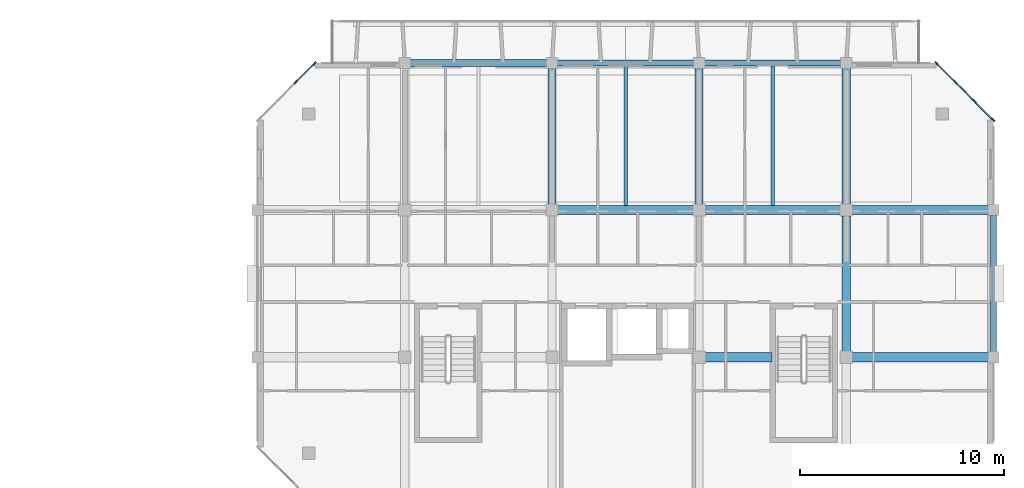
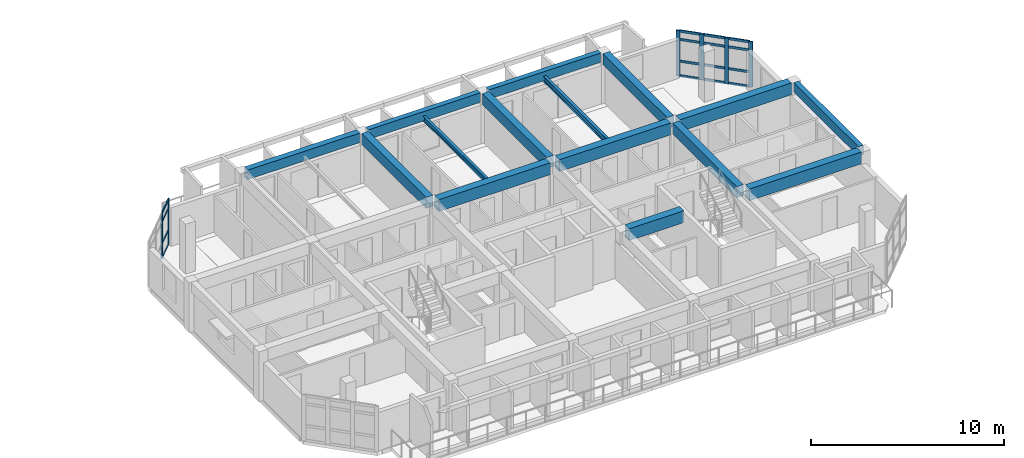
# One storey, part 17 of 64: 22 members, 15 beams, 2 elements without a shape of their own.
"""IFC4 building model written with IfcOpenShell, lengths in metres."""

import ifcopenshell
import ifcopenshell.guid

model = None  # the IFC model being written
_history = None  # IfcOwnerHistory: only IFC2X3 demands one
_inside = {}  # id of a spatial element -> (the spatial element, [elements in it])
_under = {}  # id of a project, library or spatial element -> (it, [spatial elements below it])
_declared = {}  # id of a project -> (the project, [libraries it declares])
_typed = {}  # id of a type object -> (the type object, [elements of that type])
_made_of = {}  # id of a material, layer set ... -> (it, [elements and type objects made of it])


def new_model(schema):
    """Start an empty IFC model of exactly this schema.

    Asked for "IFC4X3", IfcOpenShell would pick the latest addendum, in which some entities
    have other attributes; the version numbers below select the first issue.
    IFC2X3 requires an IfcOwnerHistory on every rooted entity: one is made here for all.
    """
    global model, _history
    if schema == "IFC4X3":
        model = ifcopenshell.file(schema_version=(4, 3, 0, 0))
    else:
        model = ifcopenshell.file(schema=schema)
    _inside.clear()
    _under.clear()
    _declared.clear()
    _typed.clear()
    _made_of.clear()
    _history = None
    if model.schema == "IFC2X3":
        org = make("IfcOrganization", Name="unknown")
        user = make(
            "IfcPersonAndOrganization",
            ThePerson=make("IfcPerson", FamilyName="unknown"),
            TheOrganization=org,
        )
        app = make(
            "IfcApplication",
            ApplicationDeveloper=org,
            Version="unknown",
            ApplicationFullName="unknown",
            ApplicationIdentifier="unknown",
        )
        _history = make(
            "IfcOwnerHistory",
            OwningUser=user,
            OwningApplication=app,
            ChangeAction="ADDED",
            CreationDate=0,
        )
    return model


def make(cls, **values):
    """One entity of the class cls with the attributes given. An attribute that is None is left unset."""
    return model.create_entity(
        cls, **{name: value for name, value in values.items() if value is not None}
    )


def rooted(cls, **values):
    """An entity with a GlobalId (a new one), such as an element, a storey or a relation."""
    return make(cls, GlobalId=ifcopenshell.guid.new(), OwnerHistory=_history, **values)


def si_unit(unit_type, name, prefix=None):
    """IfcSIUnit, for example si_unit("LENGTHUNIT", "METRE", prefix="MILLI")."""
    return make("IfcSIUnit", UnitType=unit_type, Prefix=prefix, Name=name)


def assignment(units):
    """IfcUnitAssignment: the units of a project."""
    return None if units is None else make("IfcUnitAssignment", Units=units)


def point(xyz):
    """IfcCartesianPoint."""
    return None if xyz is None else make("IfcCartesianPoint", Coordinates=xyz)


def direction(xyz):
    """IfcDirection."""
    return None if xyz is None else make("IfcDirection", DirectionRatios=xyz)


def frame(location, z_axis=None, x_axis=None):
    """IfcAxis2Placement3D, a coordinate frame: its origin and axes. An axis left out is left unset."""
    return make(
        "IfcAxis2Placement3D",
        Location=point(location),
        Axis=direction(z_axis),
        RefDirection=direction(x_axis),
    )


def frame_2d(location, x_axis=None):
    """IfcAxis2Placement2D, a coordinate frame in the plane: its origin and x axis."""
    return make(
        "IfcAxis2Placement2D", Location=point(location), RefDirection=direction(x_axis)
    )


def origin():
    """The frame at (0, 0, 0) with its axes left unset."""
    return frame((0.0, 0.0, 0.0))


def origin_2d():
    """The frame at (0, 0) in the plane with its x axis left unset."""
    return frame_2d((0.0, 0.0))


def place(relative_to, where):
    """IfcLocalPlacement: puts the frame where relative to a parent placement (None: the world)."""
    return make(
        "IfcLocalPlacement", PlacementRelTo=relative_to, RelativePlacement=where
    )


def context(
    kind, dimensions, precision=None, world=None, true_north=None, identifier=None
):
    """IfcGeometricRepresentationContext, for example the 3D "Model" context."""
    return make(
        "IfcGeometricRepresentationContext",
        ContextIdentifier=identifier,
        ContextType=kind,
        CoordinateSpaceDimension=dimensions,
        Precision=precision,
        WorldCoordinateSystem=world,
        TrueNorth=true_north,
    )


def subcontext(parent, identifier, kind, view, scale=None):
    """IfcGeometricRepresentationSubContext, for example "Body" below "Model"."""
    return make(
        "IfcGeometricRepresentationSubContext",
        ContextIdentifier=identifier,
        ContextType=kind,
        ParentContext=parent,
        TargetScale=scale,
        TargetView=view,
    )


def project(units=None, contexts=None):
    """IfcProject with its units and contexts."""
    return rooted(
        "IfcProject",
        Name="project",
        RepresentationContexts=contexts,
        UnitsInContext=assignment(units),
    )


def spatial(cls, under=None, at=None, **own):
    """A site, building, storey or space (cls), placed at a placement, below another one or the project."""
    s = rooted(cls, ObjectPlacement=at, **own)
    if under is not None:
        _under.setdefault(under.id(), (under, []))[1].append(s)
    return s


def profile(cls, at=None, kind="AREA", **sizes):
    """A parametric profile (cls). Its sizes go by their IFC names, for example OverallWidth=200.0."""
    return make(cls, ProfileType=kind, Position=at, **sizes)


def rectangle(**sizes):
    """IfcRectangleProfileDef."""
    return profile("IfcRectangleProfileDef", **sizes)


def i_section(**sizes):
    """IfcIShapeProfileDef."""
    return profile("IfcIShapeProfileDef", **sizes)


def extrude(swept, where, along, depth):
    """IfcExtrudedAreaSolid: the profile swept, set in the frame where, extruded along a direction by depth."""
    return make(
        "IfcExtrudedAreaSolid",
        SweptArea=swept,
        Position=where,
        ExtrudedDirection=direction(along),
        Depth=depth,
    )


def shape(context_of_items, identifier, shape_type, items):
    """IfcShapeRepresentation: the items that make up one representation, for example the "Body"."""
    return make(
        "IfcShapeRepresentation",
        ContextOfItems=context_of_items,
        RepresentationIdentifier=identifier,
        RepresentationType=shape_type,
        Items=items,
    )


def material(Name=None, Category=None):
    """IfcMaterial."""
    return make("IfcMaterial", Name=Name, Category=Category)


def layer(
    of_material, thickness, ventilated=None, Name=None, Category=None, Priority=None
):
    """IfcMaterialLayer: one layer of a wall or slab, of a material (None: an air gap)."""
    return make(
        "IfcMaterialLayer",
        Material=of_material,
        LayerThickness=thickness,
        IsVentilated=ventilated,
        Name=Name,
        Category=Category,
        Priority=Priority,
    )


def layer_set(layers, Name=None):
    """IfcMaterialLayerSet."""
    return make("IfcMaterialLayerSet", MaterialLayers=layers, LayerSetName=Name)


def material_profile(
    of_material, cross_section, Name=None, Category=None, Priority=None
):
    """IfcMaterialProfile: a cross section and its material."""
    return make(
        "IfcMaterialProfile",
        Name=Name,
        Material=of_material,
        Profile=cross_section,
        Priority=Priority,
        Category=Category,
    )


def profile_set(profiles, Name=None, composite=None):
    """IfcMaterialProfileSet."""
    return make(
        "IfcMaterialProfileSet",
        Name=Name,
        MaterialProfiles=profiles,
        CompositeProfile=composite,
    )


def made_of(thing, what):
    """Note that an element or type object is made of a material, layer set ...; save() writes the relation."""
    if what is not None:
        _made_of.setdefault(what.id(), (what, []))[1].append(thing)
    return thing


def type_object(cls, material=None, **own):
    """A type object (cls), such as IfcWallType, which elements share."""
    return made_of(rooted(cls, **own), material)


def element(
    cls,
    number,
    at=None,
    inside=None,
    cuts=None,
    type_object=None,
    material=None,
    context=None,
    identifier="Body",
    shape_type=None,
    held_by="IfcProductDefinitionShape",
    body=None,
    shapes=None,
    **own,
):
    """One element of the class cls, such as IfcWall. Its Tag is "e" and its number.

    at: its placement. inside: the storey or other place that contains it. cuts: it is an
    opening in that element (IfcRelVoidsElement). A single representation is given by context,
    identifier, shape_type and body (its items); several are given by shapes. held_by: the class
    of the entity that holds the representations. save() writes the other relations.
    """
    e = rooted(cls, Tag="e%d" % number, ObjectPlacement=at, **own)
    if body is not None:
        shapes = [shape(context, identifier, shape_type, body)]
    if shapes is not None:
        e.Representation = make(held_by, Representations=shapes)
    if inside is not None:
        _inside.setdefault(inside.id(), (inside, []))[1].append(e)
    if cuts is not None:
        rooted(
            "IfcRelVoidsElement", RelatingBuildingElement=cuts, RelatedOpeningElement=e
        )
    if type_object is not None:
        _typed.setdefault(type_object.id(), (type_object, []))[1].append(e)
    return made_of(e, material)


def aggregate(whole, parts):
    """IfcRelAggregates: a whole, such as a stair, and the parts it consists of."""
    return rooted("IfcRelAggregates", RelatingObject=whole, RelatedObjects=parts)


def save(model, path):
    """Write the relations noted so far, then the file.

    IfcRelAggregates (storeys below a building ...), IfcRelContainedInSpatialStructure (elements
    in a storey), IfcRelDefinesByType, IfcRelAssociatesMaterial and IfcRelDeclares: one each for
    every whole, place, type object, material and project.
    """
    for whole, parts in _under.values():
        aggregate(whole, parts)
    for where, things in _inside.values():
        rooted(
            "IfcRelContainedInSpatialStructure",
            RelatedElements=things,
            RelatingStructure=where,
        )
    for kind, things in _typed.values():
        rooted("IfcRelDefinesByType", RelatedObjects=things, RelatingType=kind)
    for what, things in _made_of.values():
        rooted("IfcRelAssociatesMaterial", RelatedObjects=things, RelatingMaterial=what)
    for by, libraries in _declared.values():
        rooted("IfcRelDeclares", RelatingContext=by, RelatedDefinitions=libraries)
    model.write(path)


model = new_model("IFC4")

# Units and contexts
model_context = context("Model", 3, precision=1e-05, world=origin(), true_north=direction((0.0, 1.0)))
body_context = subcontext(model_context, "Body", "Model", "MODEL_VIEW")
ifc_project = project(units=[si_unit("LENGTHUNIT", "METRE"), si_unit("AREAUNIT", "SQUARE_METRE"), si_unit("VOLUMEUNIT", "CUBIC_METRE"), si_unit("PLANEANGLEUNIT", "RADIAN"), si_unit("MASSUNIT", "GRAM", prefix="KILO")], contexts=[model_context])

# Site, building, storey
site_placement = place(None, origin())
site = spatial("IfcSite", under=ifc_project, at=site_placement, CompositionType="ELEMENT")
building_placement = place(site_placement, origin())
building = spatial("IfcBuilding", under=site, at=building_placement, Name="Ochrevale Crest", CompositionType="ELEMENT")
storey_placement = place(building_placement, frame((0.0, 0.0, 8.699951171875)))
storey = spatial("IfcBuildingStorey", under=building, at=storey_placement, Name="L02", CompositionType="ELEMENT", Elevation=8.699951171875)

# Beams
ifc_material_1 = material(Name="Precast concrete C50/60", Category="concrete")
ifc_material_profile_1 = material_profile(ifc_material_1, rectangle(XDim=0.39990234375, YDim=0.699951171875, at=origin_2d()), Name="PC 400x700")
ifc_profile_set_1 = profile_set([ifc_material_profile_1], Name="Precast concrete C50/60")
beam_type_1 = type_object("IfcBeamType", Name="BM-PC400x700", PredefinedType="BEAM", material=ifc_profile_set_1)
for number, where, z_axis, x_axis, name in (
    (1, (144.0, 86.679931640625, 2.800048828125), (0.0, 1.0, 0.0), (-1.0, 0.0, 0.0), "Block D L02 N-S beam X=144.0"),
    (2, (151.199951171875, 86.679931640625, 2.800048828125), (0.0, 1.0, 0.0), (-1.0, 0.0, 0.0), "Block D L02 N-S beam X=151.2"),
):
    element("IfcBeam", number, at=place(storey_placement, frame(where, z_axis=z_axis, x_axis=x_axis)), inside=storey, type_object=beam_type_1, Name=name, PredefinedType="BEAM", context=body_context, shape_type="SweptSolid", body=[
        extrude(rectangle(XDim=0.39990234375, YDim=0.699951171875, at=origin_2d()), origin(), (0.0, 0.0, 1.0), 6.6650390625),
    ])
beam_1_placement = place(storey_placement, frame((158.39990234375, 79.47998046875, 2.800048828125), z_axis=(0.0, 1.0, 0.0), x_axis=(-1.0, 0.0, 0.0)))
element("IfcBeam", 3, at=beam_1_placement, inside=storey, type_object=beam_type_1, Name="Block D L02 N-S beam X=158.4", PredefinedType="BEAM", context=body_context, shape_type="SweptSolid", body=[
    extrude(rectangle(XDim=0.39990234375, YDim=0.699951171875, at=origin_2d()), origin(), (0.0, 0.0, 1.0), 6.64013671875),
])
beam_2_placement = place(storey_placement, frame((158.39990234375, 86.679931640625, 2.800048828125), z_axis=(0.0, 1.0, 0.0), x_axis=(-1.0, 0.0, 0.0)))
element("IfcBeam", 4, at=beam_2_placement, inside=storey, type_object=beam_type_1, Name="Block D L02 N-S beam X=158.4", PredefinedType="BEAM", context=body_context, shape_type="SweptSolid", body=[
    extrude(rectangle(XDim=0.39990234375, YDim=0.699951171875, at=origin_2d()), origin(), (0.0, 0.0, 1.0), 6.6650390625),
])
ifc_material_2 = material(Name="Concrete C50/60", Category="concrete")
ifc_material_profile_2 = material_profile(ifc_material_2, rectangle(XDim=0.449951171875, YDim=0.75, at=origin_2d()), Name="RC 450x750")
ifc_profile_set_2 = profile_set([ifc_material_profile_2], Name="Concrete C50/60")
beam_type_2 = type_object("IfcBeamType", Name="BM-PG450x750", PredefinedType="USERDEFINED", material=ifc_profile_set_2)
beam_3_placement = place(storey_placement, frame((151.47509765625, 79.199951171875, 2.775146484375), z_axis=(1.0, 0.0, 0.0), x_axis=(0.0, 1.0, 0.0)))
element("IfcBeam", 5, at=beam_3_placement, inside=storey, type_object=beam_type_2, Name="Block D L02 E-W beam Y=79.2", ObjectType="GIRDER", PredefinedType="USERDEFINED", context=body_context, shape_type="SweptSolid", body=[
    extrude(rectangle(XDim=0.449951171875, YDim=0.75, at=origin_2d()), origin(), (0.0, 0.0, 1.0), 3.284912109375),
])
beam_4_placement = place(storey_placement, frame((158.675048828125, 79.199951171875, 2.775146484375), z_axis=(1.0, 0.0, 0.0), x_axis=(0.0, 1.0, 0.0)))
element("IfcBeam", 6, at=beam_4_placement, inside=storey, type_object=beam_type_2, Name="Block D L02 E-W beam Y=79.2", ObjectType="GIRDER", PredefinedType="USERDEFINED", context=body_context, shape_type="SweptSolid", body=[
    extrude(rectangle(XDim=0.449951171875, YDim=0.75, at=origin_2d()), origin(), (0.0, 0.0, 1.0), 6.675048828125),
])
beam_5_placement = place(storey_placement, frame((144.27490234375, 86.39990234375, 2.775146484375), z_axis=(1.0, 0.0, 0.0), x_axis=(0.0, 1.0, 0.0)))
element("IfcBeam", 7, at=beam_5_placement, inside=storey, type_object=beam_type_2, Name="Block D L02 E-W beam Y=86.4", ObjectType="GIRDER", PredefinedType="USERDEFINED", context=body_context, shape_type="SweptSolid", body=[
    extrude(rectangle(XDim=0.449951171875, YDim=0.75, at=origin_2d()), origin(), (0.0, 0.0, 1.0), 6.650146484375),
])
beam_6_placement = place(storey_placement, frame((151.47509765625, 86.39990234375, 2.775146484375), z_axis=(1.0, 0.0, 0.0), x_axis=(0.0, 1.0, 0.0)))
element("IfcBeam", 8, at=beam_6_placement, inside=storey, type_object=beam_type_2, Name="Block D L02 E-W beam Y=86.4", ObjectType="GIRDER", PredefinedType="USERDEFINED", context=body_context, shape_type="SweptSolid", body=[
    extrude(rectangle(XDim=0.449951171875, YDim=0.75, at=origin_2d()), origin(), (0.0, 0.0, 1.0), 6.64990234375),
])
beam_7_placement = place(storey_placement, frame((158.675048828125, 86.39990234375, 2.775146484375), z_axis=(1.0, 0.0, 0.0), x_axis=(0.0, 1.0, 0.0)))
element("IfcBeam", 9, at=beam_7_placement, inside=storey, type_object=beam_type_2, Name="Block D L02 E-W beam Y=86.4", ObjectType="GIRDER", PredefinedType="USERDEFINED", context=body_context, shape_type="SweptSolid", body=[
    extrude(rectangle(XDim=0.449951171875, YDim=0.75, at=origin_2d()), origin(), (0.0, 0.0, 1.0), 6.675048828125),
])
ifc_material_3 = material(Name="Precast concrete C40/50", Category="concrete")
ifc_material_profile_3 = material_profile(ifc_material_3, rectangle(XDim=0.300048828125, YDim=0.580078125, at=origin_2d()), Name="PC 300x580")
ifc_profile_set_3 = profile_set([ifc_material_profile_3], Name="Precast concrete C40/50")
beam_type_3 = type_object("IfcBeamType", Name="BM-SP300x580", PredefinedType="SPANDREL", material=ifc_profile_set_3)
beam_8_placement = place(storey_placement, frame((151.449951171875, 93.60009765625, 2.860107421875), z_axis=(1.0, 0.0, 0.0), x_axis=(0.0, 1.0, 0.0)))
element("IfcBeam", 10, at=beam_8_placement, inside=storey, type_object=beam_type_3, Name="Block D L02 E-W beam Y=93.6", PredefinedType="SPANDREL", context=body_context, shape_type="SweptSolid", body=[
    extrude(rectangle(XDim=0.300048828125, YDim=0.580078125, at=origin_2d()), origin(), (0.0, 0.0, 1.0), 6.699951171875),
])
ifc_material_profile_4 = material_profile(ifc_material_3, rectangle(XDim=0.300048828125, YDim=0.60009765625, at=origin_2d()), Name="PC 300x600")
ifc_profile_set_4 = profile_set([ifc_material_profile_4], Name="Precast concrete C40/50")
beam_type_4 = type_object("IfcBeamType", Name="BM-SP300x600", PredefinedType="SPANDREL", material=ifc_profile_set_4)
beam_9_placement = place(storey_placement, frame((144.25, 93.60009765625, 2.85009765625), z_axis=(1.0, 0.0, 0.0), x_axis=(0.0, 1.0, 0.0)))
element("IfcBeam", 11, at=beam_9_placement, inside=storey, type_object=beam_type_4, Name="Block D L02 E-W beam Y=93.6", PredefinedType="SPANDREL", context=body_context, shape_type="SweptSolid", body=[
    extrude(rectangle(XDim=0.300048828125, YDim=0.60009765625, at=origin_2d()), origin(), (0.0, 0.0, 1.0), 6.699951171875),
])
beam_10_placement = place(storey_placement, frame((165.60009765625, 79.455078125, 2.85009765625), z_axis=(0.0, 1.0, 0.0), x_axis=(-1.0, 0.0, 0.0)))
element("IfcBeam", 12, at=beam_10_placement, inside=storey, type_object=beam_type_4, Name="Block D L02 N-S beam X=165.6", PredefinedType="SPANDREL", context=body_context, shape_type="SweptSolid", body=[
    extrude(rectangle(XDim=0.300048828125, YDim=0.60009765625, at=origin_2d()), origin(), (0.0, 0.0, 1.0), 6.68994140625),
])
ifc_material_profile_5 = material_profile(ifc_material_3, rectangle(XDim=0.35009765625, YDim=0.60009765625, at=origin_2d()), Name="PC 350x600")
ifc_profile_set_5 = profile_set([ifc_material_profile_5], Name="Precast concrete C40/50")
beam_type_5 = type_object("IfcBeamType", Name="BM-SP350x600", PredefinedType="SPANDREL", material=ifc_profile_set_5)
beam_11_placement = place(storey_placement, frame((137.050048828125, 93.60009765625, 2.85009765625), z_axis=(1.0, 0.0, 0.0), x_axis=(0.0, 1.0, 0.0)))
element("IfcBeam", 13, at=beam_11_placement, inside=storey, type_object=beam_type_5, Name="Block D L02 E-W beam Y=93.6", PredefinedType="SPANDREL", context=body_context, shape_type="SweptSolid", body=[
    extrude(rectangle(XDim=0.35009765625, YDim=0.60009765625, at=origin_2d()), origin(), (0.0, 0.0, 1.0), 6.699951171875),
])
ifc_material_4 = material(Name="Steel S355", Category="steel")
ifc_material_profile_6 = material_profile(ifc_material_4, i_section(OverallWidth=0.1650390625, OverallDepth=0.3037109375, WebThickness=0.006103515625, FlangeThickness=0.01025390625, FilletRadius=0.011474609375, at=origin_2d()), Name="310UB40.4")
ifc_profile_set_6 = profile_set([ifc_material_profile_6], Name="Steel S355")
beam_type_6 = type_object("IfcBeamType", Name="BM-UB310A", PredefinedType="BEAM", material=ifc_profile_set_6)
beam_12_placement = place(storey_placement, frame((147.60009765625, 86.613037109375, 2.72314453125), z_axis=(0.0, 1.0, 0.0), x_axis=(-1.0, 0.0, 0.0)))
element("IfcBeam", 14, at=beam_12_placement, inside=storey, type_object=beam_type_6, Name="Block D L02 composite plank trimmer beam 3", PredefinedType="BEAM", context=body_context, shape_type="SweptSolid", body=[
    extrude(i_section(OverallWidth=0.1650390625, OverallDepth=0.3037109375, WebThickness=0.006103515625, FlangeThickness=0.01025390625, FilletRadius=0.011474609375, at=origin_2d()), origin(), (0.0, 0.0, 1.0), 6.848876953125),
])
ifc_material_profile_7 = material_profile(ifc_material_4, i_section(OverallWidth=0.17138671875, OverallDepth=0.355712890625, WebThickness=0.00732421875, FlangeThickness=0.011474609375, FilletRadius=0.011474609375, at=origin_2d()), Name="360UB50.7")
ifc_profile_set_7 = profile_set([ifc_material_profile_7], Name="Steel S355")
beam_type_7 = type_object("IfcBeamType", Name="BM-UB360A", PredefinedType="BEAM", material=ifc_profile_set_7)
beam_13_placement = place(storey_placement, frame((154.800048828125, 86.613037109375, 2.697265625), z_axis=(0.0, 1.0, 0.0), x_axis=(-1.0, 0.0, 0.0)))
element("IfcBeam", 15, at=beam_13_placement, inside=storey, type_object=beam_type_7, Name="Block D L02 composite plank trimmer beam 4", PredefinedType="BEAM", context=body_context, shape_type="SweptSolid", body=[
    extrude(i_section(OverallWidth=0.17138671875, OverallDepth=0.355712890625, WebThickness=0.00732421875, FlangeThickness=0.011474609375, FilletRadius=0.011474609375, at=origin_2d()), origin(), (0.0, 0.0, 1.0), 6.848876953125),
])

# Curtain wall, members
ifc_material_5 = material(Name="Anodised aluminium 6063-T5", Category="aluminium")
ifc_layer_1 = layer(ifc_material_5, 0.14990234375)
ifc_layer_set_1 = layer_set([ifc_layer_1], Name="Anodised aluminium 6063-T5")
curtain_wall_type_1 = type_object("IfcCurtainWallType", Name="CW-WG-280x285", PredefinedType="NOTDEFINED", material=ifc_layer_set_1)
curtain_wall_1_placement = place(storey_placement, origin())
curtain_wall_1 = element("IfcCurtainWall", 16, at=curtain_wall_1_placement, inside=storey, type_object=curtain_wall_type_1, Name="Block D L02 chamfered corner wintergarden curtain wall 4", PredefinedType="NOTDEFINED")
ifc_material_profile_8 = material_profile(ifc_material_5, rectangle(XDim=0.074951171875, YDim=0.219970703125, at=origin_2d()), Name="ALU 75x220")
ifc_profile_set_8 = profile_set([ifc_material_profile_8], Name="Anodised aluminium 6063-T5")
member_type_1 = type_object("IfcMemberType", Name="CW-MUL-75x220", PredefinedType="MULLION", material=ifc_profile_set_8)
member_1_placement = place(storey_placement, frame((165.573486328125, 90.826416015625, 0.0), z_axis=(0.0, 0.0, 1.0), x_axis=(-0.707106781187, -0.707106781187, 0.0)))
member_1 = element("IfcMember", 17, at=member_1_placement, type_object=member_type_1, Name="CW16 mullion 1", PredefinedType="MULLION", context=body_context, shape_type="SweptSolid", body=[
    extrude(rectangle(XDim=0.074951171875, YDim=0.219970703125, at=origin_2d()), origin(), (0.0, 0.0, 1.0), 2.875),
])
member_2_placement = place(storey_placement, frame((164.666748046875, 91.7333984375, 0.0), z_axis=(0.0, 0.0, 1.0), x_axis=(-0.707106781187, -0.707106781187, 0.0)))
member_2 = element("IfcMember", 18, at=member_2_placement, type_object=member_type_1, Name="CW16 mullion 2", PredefinedType="MULLION", context=body_context, shape_type="SweptSolid", body=[
    extrude(rectangle(XDim=0.074951171875, YDim=0.219970703125, at=origin_2d()), origin(), (0.0, 0.0, 1.0), 2.875),
])
member_3_placement = place(storey_placement, frame((163.7333984375, 92.666748046875, 0.0), z_axis=(0.0, 0.0, 1.0), x_axis=(-0.707106781187, -0.707106781187, 0.0)))
member_3 = element("IfcMember", 19, at=member_3_placement, type_object=member_type_1, Name="CW16 mullion 3", PredefinedType="MULLION", context=body_context, shape_type="SweptSolid", body=[
    extrude(rectangle(XDim=0.074951171875, YDim=0.219970703125, at=origin_2d()), origin(), (0.0, 0.0, 1.0), 2.875),
])
member_4_placement = place(storey_placement, frame((162.826416015625, 93.573486328125, 0.0), z_axis=(0.0, 0.0, 1.0), x_axis=(-0.707106781187, -0.707106781187, 0.0)))
member_4 = element("IfcMember", 20, at=member_4_placement, type_object=member_type_1, Name="CW16 mullion 4", PredefinedType="MULLION", context=body_context, shape_type="SweptSolid", body=[
    extrude(rectangle(XDim=0.074951171875, YDim=0.219970703125, at=origin_2d()), origin(), (0.0, 0.0, 1.0), 2.875),
])

ifc_layer_2 = layer(ifc_material_5, 0.14990234375)
ifc_layer_set_2 = layer_set([ifc_layer_2], Name="Anodised aluminium 6063-T5")
curtain_wall_type_2 = type_object("IfcCurtainWallType", Name="CW-WG-360x285", PredefinedType="NOTDEFINED", material=ifc_layer_set_2)
curtain_wall_2_placement = place(storey_placement, origin())
curtain_wall_2 = element("IfcCurtainWall", 21, at=curtain_wall_2_placement, inside=storey, type_object=curtain_wall_type_2, Name="Block D L02 chamfered corner wintergarden curtain wall 6", PredefinedType="NOTDEFINED")
member_5_placement = place(storey_placement, frame((132.37353515625, 93.573486328125, 0.0), z_axis=(0.0, 0.0, 1.0), x_axis=(0.707106781187, -0.707106781187, 0.0)))
member_5 = element("IfcMember", 22, at=member_5_placement, type_object=member_type_1, Name="CW18 mullion 1", PredefinedType="MULLION", context=body_context, shape_type="SweptSolid", body=[
    extrude(rectangle(XDim=0.074951171875, YDim=0.219970703125, at=origin_2d()), origin(), (0.0, 0.0, 1.0), 2.875),
])
member_6_placement = place(storey_placement, frame((131.466552734375, 92.666748046875, 0.0), z_axis=(0.0, 0.0, 1.0), x_axis=(0.707106781187, -0.707106781187, 0.0)))
member_6 = element("IfcMember", 23, at=member_6_placement, type_object=member_type_1, Name="CW18 mullion 2", PredefinedType="MULLION", context=body_context, shape_type="SweptSolid", body=[
    extrude(rectangle(XDim=0.074951171875, YDim=0.219970703125, at=origin_2d()), origin(), (0.0, 0.0, 1.0), 2.875),
])

# Member
ifc_material_profile_9 = material_profile(ifc_material_5, rectangle(XDim=0.06005859375, YDim=0.14990234375, at=origin_2d()), Name="ALU 60x150")
ifc_profile_set_9 = profile_set([ifc_material_profile_9], Name="Anodised aluminium 6063-T5")
member_type_2 = type_object("IfcMemberType", Name="CW-TRN-60x150", PredefinedType="USERDEFINED", material=ifc_profile_set_9)
member_7_placement = place(storey_placement, frame((165.546875, 90.85302734375, 0.030029296875), z_axis=(-0.707106781187, 0.707106781187, 0.0), x_axis=(-0.707106781187, -0.707106781187, 0.0)))
member_7 = element("IfcMember", 24, at=member_7_placement, type_object=member_type_2, Name="CW16 transom 1.1", ObjectType="TRANSOM", PredefinedType="USERDEFINED", context=body_context, shape_type="SweptSolid", body=[
    extrude(rectangle(XDim=0.06005859375, YDim=0.14990234375, at=origin_2d()), origin(), (0.0, 0.0, 1.0), 1.20751953125),
])

member_8_placement = place(storey_placement, frame((165.546875, 90.85302734375, 0.949951171875), z_axis=(-0.707106781187, 0.707106781187, 0.0), x_axis=(-0.707106781187, -0.707106781187, 0.0)))
member_8 = element("IfcMember", 25, at=member_8_placement, type_object=member_type_2, Name="CW16 transom 1.2", ObjectType="TRANSOM", PredefinedType="USERDEFINED", context=body_context, shape_type="SweptSolid", body=[
    extrude(rectangle(XDim=0.06005859375, YDim=0.14990234375, at=origin_2d()), origin(), (0.0, 0.0, 1.0), 1.20751953125),
])

member_9_placement = place(storey_placement, frame((165.546875, 90.85302734375, 2.324951171875), z_axis=(-0.707106781187, 0.707106781187, 0.0), x_axis=(-0.707106781187, -0.707106781187, 0.0)))
member_9 = element("IfcMember", 26, at=member_9_placement, type_object=member_type_2, Name="CW16 transom 1.3", ObjectType="TRANSOM", PredefinedType="USERDEFINED", context=body_context, shape_type="SweptSolid", body=[
    extrude(rectangle(XDim=0.06005859375, YDim=0.14990234375, at=origin_2d()), origin(), (0.0, 0.0, 1.0), 1.20751953125),
])

member_10_placement = place(storey_placement, frame((165.546875, 90.85302734375, 2.844970703125), z_axis=(-0.707106781187, 0.707106781187, 0.0), x_axis=(-0.707106781187, -0.707106781187, 0.0)))
member_10 = element("IfcMember", 27, at=member_10_placement, type_object=member_type_2, Name="CW16 transom 1.4", ObjectType="TRANSOM", PredefinedType="USERDEFINED", context=body_context, shape_type="SweptSolid", body=[
    extrude(rectangle(XDim=0.06005859375, YDim=0.14990234375, at=origin_2d()), origin(), (0.0, 0.0, 1.0), 1.20751953125),
])

member_11_placement = place(storey_placement, frame((164.64013671875, 91.759765625, 0.030029296875), z_axis=(-0.707106781187, 0.707106781187, 0.0), x_axis=(-0.707106781187, -0.707106781187, 0.0)))
member_11 = element("IfcMember", 28, at=member_11_placement, type_object=member_type_2, Name="CW16 transom 2.1", ObjectType="TRANSOM", PredefinedType="USERDEFINED", context=body_context, shape_type="SweptSolid", body=[
    extrude(rectangle(XDim=0.06005859375, YDim=0.14990234375, at=origin_2d()), origin(), (0.0, 0.0, 1.0), 1.2451171875),
])

member_12_placement = place(storey_placement, frame((164.64013671875, 91.759765625, 0.949951171875), z_axis=(-0.707106781187, 0.707106781187, 0.0), x_axis=(-0.707106781187, -0.707106781187, 0.0)))
member_12 = element("IfcMember", 29, at=member_12_placement, type_object=member_type_2, Name="CW16 transom 2.2", ObjectType="TRANSOM", PredefinedType="USERDEFINED", context=body_context, shape_type="SweptSolid", body=[
    extrude(rectangle(XDim=0.06005859375, YDim=0.14990234375, at=origin_2d()), origin(), (0.0, 0.0, 1.0), 1.2451171875),
])

member_13_placement = place(storey_placement, frame((164.64013671875, 91.759765625, 2.324951171875), z_axis=(-0.707106781187, 0.707106781187, 0.0), x_axis=(-0.707106781187, -0.707106781187, 0.0)))
member_13 = element("IfcMember", 30, at=member_13_placement, type_object=member_type_2, Name="CW16 transom 2.3", ObjectType="TRANSOM", PredefinedType="USERDEFINED", context=body_context, shape_type="SweptSolid", body=[
    extrude(rectangle(XDim=0.06005859375, YDim=0.14990234375, at=origin_2d()), origin(), (0.0, 0.0, 1.0), 1.2451171875),
])

member_14_placement = place(storey_placement, frame((164.64013671875, 91.759765625, 2.844970703125), z_axis=(-0.707106781187, 0.707106781187, 0.0), x_axis=(-0.707106781187, -0.707106781187, 0.0)))
member_14 = element("IfcMember", 31, at=member_14_placement, type_object=member_type_2, Name="CW16 transom 2.4", ObjectType="TRANSOM", PredefinedType="USERDEFINED", context=body_context, shape_type="SweptSolid", body=[
    extrude(rectangle(XDim=0.06005859375, YDim=0.14990234375, at=origin_2d()), origin(), (0.0, 0.0, 1.0), 1.2451171875),
])

member_15_placement = place(storey_placement, frame((163.706787109375, 92.693115234375, 0.030029296875), z_axis=(-0.707106781187, 0.707106781187, 0.0), x_axis=(-0.707106781187, -0.707106781187, 0.0)))
member_15 = element("IfcMember", 32, at=member_15_placement, type_object=member_type_2, Name="CW16 transom 3.1", ObjectType="TRANSOM", PredefinedType="USERDEFINED", context=body_context, shape_type="SweptSolid", body=[
    extrude(rectangle(XDim=0.06005859375, YDim=0.14990234375, at=origin_2d()), origin(), (0.0, 0.0, 1.0), 1.20751953125),
])

member_16_placement = place(storey_placement, frame((163.706787109375, 92.693115234375, 0.949951171875), z_axis=(-0.707106781187, 0.707106781187, 0.0), x_axis=(-0.707106781187, -0.707106781187, 0.0)))
member_16 = element("IfcMember", 33, at=member_16_placement, type_object=member_type_2, Name="CW16 transom 3.2", ObjectType="TRANSOM", PredefinedType="USERDEFINED", context=body_context, shape_type="SweptSolid", body=[
    extrude(rectangle(XDim=0.06005859375, YDim=0.14990234375, at=origin_2d()), origin(), (0.0, 0.0, 1.0), 1.20751953125),
])

member_17_placement = place(storey_placement, frame((163.706787109375, 92.693115234375, 2.324951171875), z_axis=(-0.707106781187, 0.707106781187, 0.0), x_axis=(-0.707106781187, -0.707106781187, 0.0)))
member_17 = element("IfcMember", 34, at=member_17_placement, type_object=member_type_2, Name="CW16 transom 3.3", ObjectType="TRANSOM", PredefinedType="USERDEFINED", context=body_context, shape_type="SweptSolid", body=[
    extrude(rectangle(XDim=0.06005859375, YDim=0.14990234375, at=origin_2d()), origin(), (0.0, 0.0, 1.0), 1.20751953125),
])

member_18_placement = place(storey_placement, frame((163.706787109375, 92.693115234375, 2.844970703125), z_axis=(-0.707106781187, 0.707106781187, 0.0), x_axis=(-0.707106781187, -0.707106781187, 0.0)))
member_18 = element("IfcMember", 35, at=member_18_placement, type_object=member_type_2, Name="CW16 transom 3.4", ObjectType="TRANSOM", PredefinedType="USERDEFINED", context=body_context, shape_type="SweptSolid", body=[
    extrude(rectangle(XDim=0.06005859375, YDim=0.14990234375, at=origin_2d()), origin(), (0.0, 0.0, 1.0), 1.20751953125),
])

aggregate(curtain_wall_1, [member_1, member_2, member_3, member_4, member_7, member_8, member_9, member_10, member_11, member_12, member_13, member_14, member_15, member_16, member_17, member_18])

member_19_placement = place(storey_placement, frame((132.346923828125, 93.546875, 0.030029296875), z_axis=(-0.707106781187, -0.707106781187, 0.0), x_axis=(0.707106781187, -0.707106781187, 0.0)))
member_19 = element("IfcMember", 36, at=member_19_placement, type_object=member_type_2, Name="CW18 transom 1.1", ObjectType="TRANSOM", PredefinedType="USERDEFINED", context=body_context, shape_type="SweptSolid", body=[
    extrude(rectangle(XDim=0.06005859375, YDim=0.14990234375, at=origin_2d()), origin(), (0.0, 0.0, 1.0), 1.20751953125),
])

member_20_placement = place(storey_placement, frame((132.346923828125, 93.546875, 0.949951171875), z_axis=(-0.707106781187, -0.707106781187, 0.0), x_axis=(0.707106781187, -0.707106781187, 0.0)))
member_20 = element("IfcMember", 37, at=member_20_placement, type_object=member_type_2, Name="CW18 transom 1.2", ObjectType="TRANSOM", PredefinedType="USERDEFINED", context=body_context, shape_type="SweptSolid", body=[
    extrude(rectangle(XDim=0.06005859375, YDim=0.14990234375, at=origin_2d()), origin(), (0.0, 0.0, 1.0), 1.20751953125),
])

member_21_placement = place(storey_placement, frame((132.346923828125, 93.546875, 2.324951171875), z_axis=(-0.707106781187, -0.707106781187, 0.0), x_axis=(0.707106781187, -0.707106781187, 0.0)))
member_21 = element("IfcMember", 38, at=member_21_placement, type_object=member_type_2, Name="CW18 transom 1.3", ObjectType="TRANSOM", PredefinedType="USERDEFINED", context=body_context, shape_type="SweptSolid", body=[
    extrude(rectangle(XDim=0.06005859375, YDim=0.14990234375, at=origin_2d()), origin(), (0.0, 0.0, 1.0), 1.20751953125),
])

member_22_placement = place(storey_placement, frame((132.346923828125, 93.546875, 2.844970703125), z_axis=(-0.707106781187, -0.707106781187, 0.0), x_axis=(0.707106781187, -0.707106781187, 0.0)))
member_22 = element("IfcMember", 39, at=member_22_placement, type_object=member_type_2, Name="CW18 transom 1.4", ObjectType="TRANSOM", PredefinedType="USERDEFINED", context=body_context, shape_type="SweptSolid", body=[
    extrude(rectangle(XDim=0.06005859375, YDim=0.14990234375, at=origin_2d()), origin(), (0.0, 0.0, 1.0), 1.20751953125),
])

aggregate(curtain_wall_2, [member_5, member_6, member_19, member_20, member_21, member_22])

save(model, "model.ifc")
